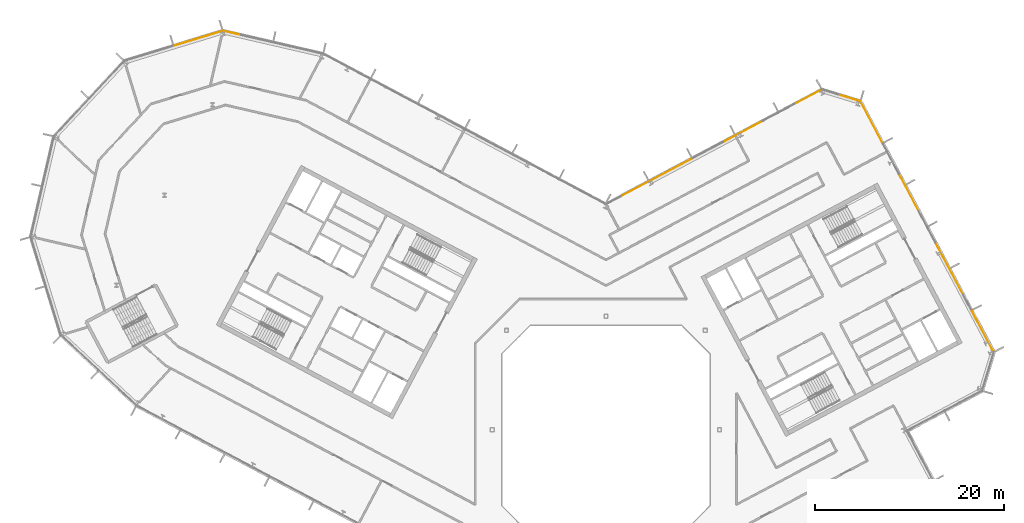
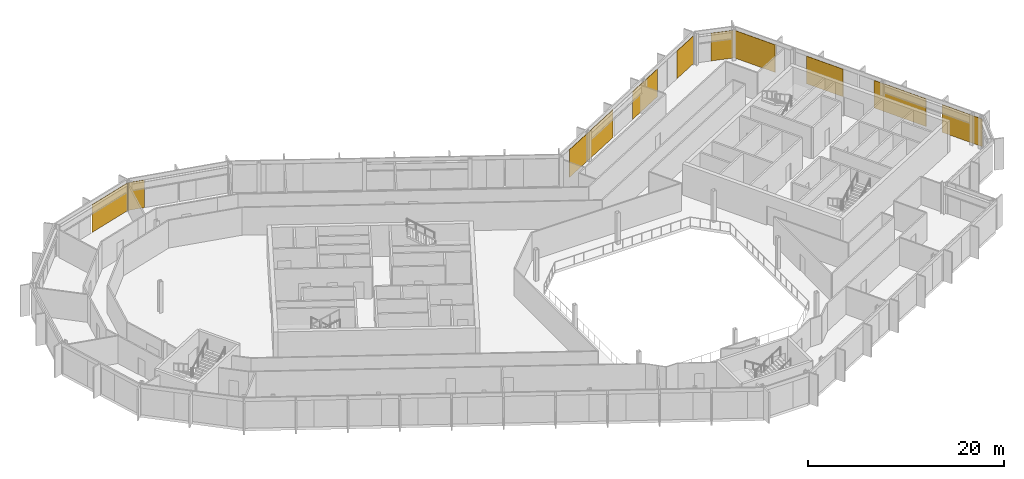
# One storey, part 26 of 26: 10 coverings, 5 elements without a shape of their own.
"""IFC4 building model written with IfcOpenShell, lengths in metres."""

from ifc_helpers import new_model, si_unit, direction, frame, origin, origin_2d, place, context, subcontext, project, spatial, rectangle, extrude, material, layer, layer_set, type_object, element, aggregate, save


model = new_model("IFC4")

# Units and contexts
model_context = context("Model", 3, precision=1e-05, world=origin(), true_north=direction((0.0, 1.0)))
body_context = subcontext(model_context, "Body", "Model", "MODEL_VIEW")
ifc_project = project(units=[si_unit("LENGTHUNIT", "METRE"), si_unit("AREAUNIT", "SQUARE_METRE"), si_unit("VOLUMEUNIT", "CUBIC_METRE"), si_unit("PLANEANGLEUNIT", "RADIAN"), si_unit("MASSUNIT", "GRAM", prefix="KILO")], contexts=[model_context])

# Site, building, storey
site_placement = place(None, origin())
site = spatial("IfcSite", under=ifc_project, at=site_placement, CompositionType="ELEMENT")
building_placement = place(site_placement, origin())
building = spatial("IfcBuilding", under=site, at=building_placement, Name="Cormorant Relay Tower", CompositionType="ELEMENT")
storey_placement = place(building_placement, frame((0.0, 0.0, 316.5)))
storey = spatial("IfcBuildingStorey", under=building, at=storey_placement, Name="L72", CompositionType="ELEMENT", Elevation=316.5)

# Curtain wall, coverings
ifc_material_1 = material(Name="Aluminium 6063-T6 anodised bronze", Category="aluminium")
ifc_layer_1 = layer(ifc_material_1, 0.199951171875)
ifc_layer_set_1 = layer_set([ifc_layer_1], Name="CW1 unitised bronze curtain wall with vertical fins")
curtain_wall_type = type_object("IfcCurtainWallType", Name="CW1 unitised bronze curtain wall with vertical fins", PredefinedType="NOTDEFINED", material=ifc_layer_set_1)
curtain_wall_1_placement = place(storey_placement, origin())
curtain_wall_1 = element("IfcCurtainWall", 1, at=curtain_wall_1_placement, inside=storey, type_object=curtain_wall_type, Name="CW1 curtain wall 6", PredefinedType="NOTDEFINED")
ifc_material_2 = material(Name="Pale bronze anodised aluminium insulated panel", Category="aluminium")
ifc_layer_2 = layer(ifc_material_2, 0.0400390625)
ifc_layer_set_2 = layer_set([ifc_layer_2], Name="CW1 pale bronze insulated panel 40")
covering_type = type_object("IfcCoveringType", Name="CW1 pale bronze insulated panel 40", PredefinedType="CLADDING", material=ifc_layer_set_2)
covering_1_placement = place(storey_placement, frame((39.79541015625, 10.400146484375, 0.0), z_axis=(0.0, 0.0, 1.0), x_axis=(-0.469471562786, 0.882947592859, 0.0)))
covering_1 = element("IfcCovering", 2, at=covering_1_placement, type_object=covering_type, Name="CW1 panel S00", PredefinedType="CLADDING", context=body_context, shape_type="SweptSolid", body=[
    extrude(rectangle(XDim=4.85009765625, YDim=0.0400390625, at=origin_2d()), origin(), (0.0, 0.0, 1.0), 3.449951171875),
])
covering_2_placement = place(storey_placement, frame((36.2744140625, 17.0224609375, 0.0), z_axis=(0.0, 0.0, 1.0), x_axis=(-0.469471562786, 0.882947592859, 0.0)))
covering_2 = element("IfcCovering", 3, at=covering_2_placement, type_object=covering_type, Name="CW1 panel S02", PredefinedType="CLADDING", context=body_context, shape_type="SweptSolid", body=[
    extrude(rectangle(XDim=6.25, YDim=0.0400390625, at=origin_2d()), origin(), (0.0, 0.0, 1.0), 3.449951171875),
])
covering_3_placement = place(storey_placement, frame((32.002197265625, 25.05712890625, 0.0), z_axis=(0.0, 0.0, 1.0), x_axis=(-0.469471562786, 0.882947592859, 0.0)))
covering_3 = element("IfcCovering", 4, at=covering_3_placement, type_object=covering_type, Name="CW1 panel S05", PredefinedType="CLADDING", context=body_context, shape_type="SweptSolid", body=[
    extrude(rectangle(XDim=4.449951171875, YDim=0.0400390625, at=origin_2d()), origin(), (0.0, 0.0, 1.0), 3.449951171875),
])
covering_4_placement = place(storey_placement, frame((28.041015625, 32.507080078125, 0.0), z_axis=(0.0, 0.0, 1.0), x_axis=(-0.469471562786, 0.882947592859, 0.0)))
covering_4 = element("IfcCovering", 5, at=covering_4_placement, type_object=covering_type, Name="CW1 panel S07", PredefinedType="CLADDING", context=body_context, shape_type="SweptSolid", body=[
    extrude(rectangle(XDim=4.925048828125, YDim=0.0400390625, at=origin_2d()), origin(), (0.0, 0.0, 1.0), 3.449951171875),
])
aggregate(curtain_wall_1, [covering_1, covering_2, covering_3, covering_4])

# Curtain wall, covering
curtain_wall_2_placement = place(storey_placement, origin())
curtain_wall_2 = element("IfcCurtainWall", 6, at=curtain_wall_2_placement, inside=storey, type_object=curtain_wall_type, Name="CW1 curtain wall 7", PredefinedType="NOTDEFINED")
covering_5_placement = place(storey_placement, frame((25.66943359375, 35.05908203125, 0.0), z_axis=(0.0, 0.0, 1.0), x_axis=(-0.956304755963, 0.292371704723, 0.0)))
covering_5 = element("IfcCovering", 7, at=covering_5_placement, type_object=covering_type, Name="CW1 panel S00", PredefinedType="CLADDING", context=body_context, shape_type="SweptSolid", body=[
    extrude(rectangle(XDim=2.36767578125, YDim=0.0400390625, at=origin_2d()), origin(), (0.0, 0.0, 1.0), 3.449951171875),
])
aggregate(curtain_wall_2, [covering_5])

# Curtain wall, coverings
curtain_wall_3_placement = place(storey_placement, origin())
curtain_wall_3 = element("IfcCurtainWall", 8, at=curtain_wall_3_placement, inside=storey, type_object=curtain_wall_type, Name="CW1 curtain wall 8", PredefinedType="NOTDEFINED")
covering_6_placement = place(storey_placement, frame((21.314453125, 35.1396484375, 0.0), z_axis=(0.0, 0.0, 1.0), x_axis=(-0.882947592859, -0.469471562786, 0.0)))
covering_6 = element("IfcCovering", 9, at=covering_6_placement, type_object=covering_type, Name="CW1 panel S00", PredefinedType="CLADDING", context=body_context, shape_type="SweptSolid", body=[
    extrude(rectangle(XDim=3.216796875, YDim=0.0400390625, at=origin_2d()), origin(), (0.0, 0.0, 1.0), 3.449951171875),
])
covering_7_placement = place(storey_placement, frame((14.471435546875, 31.501220703125, 0.0), z_axis=(0.0, 0.0, 1.0), x_axis=(-0.882947592859, -0.469471562786, 0.0)))
covering_7 = element("IfcCovering", 10, at=covering_7_placement, type_object=covering_type, Name="CW1 panel S03", PredefinedType="CLADDING", context=body_context, shape_type="SweptSolid", body=[
    extrude(rectangle(XDim=4.78369140625, YDim=0.0400390625, at=origin_2d()), origin(), (0.0, 0.0, 1.0), 3.449951171875),
])
covering_8_placement = place(storey_placement, frame((5.314208984375, 26.632080078125, 0.0), z_axis=(0.0, 0.0, 1.0), x_axis=(-0.882947592859, -0.469471562786, 0.0)))
covering_8 = element("IfcCovering", 11, at=covering_8_placement, type_object=covering_type, Name="CW1 panel S05", PredefinedType="CLADDING", context=body_context, shape_type="SweptSolid", body=[
    extrude(rectangle(XDim=8.45849609375, YDim=0.0400390625, at=origin_2d()), origin(), (0.0, 0.0, 1.0), 3.449951171875),
])
aggregate(curtain_wall_3, [covering_6, covering_7, covering_8])

# Curtain wall, covering
curtain_wall_4_placement = place(storey_placement, origin())
curtain_wall_4 = element("IfcCurtainWall", 12, at=curtain_wall_4_placement, inside=storey, type_object=curtain_wall_type, Name="CW1 curtain wall 10", PredefinedType="NOTDEFINED")
covering_9_placement = place(storey_placement, frame((-39.603515625, 41.934814453125, 0.0), z_axis=(0.0, 0.0, 1.0), x_axis=(-0.974370064785, 0.224951054344, 0.0)))
covering_9 = element("IfcCovering", 13, at=covering_9_placement, type_object=covering_type, Name="CW1 panel S03", PredefinedType="CLADDING", context=body_context, shape_type="SweptSolid", body=[
    extrude(rectangle(XDim=1.76025390625, YDim=0.0400390625, at=origin_2d()), origin(), (0.0, 0.0, 1.0), 3.449951171875),
])
aggregate(curtain_wall_4, [covering_9])

curtain_wall_5_placement = place(storey_placement, origin())
curtain_wall_5 = element("IfcCurtainWall", 14, at=curtain_wall_5_placement, inside=storey, type_object=curtain_wall_type, Name="CW1 curtain wall 11", PredefinedType="NOTDEFINED")
covering_10_placement = place(storey_placement, frame((-43.0703125, 41.337890625, 0.0), z_axis=(0.0, 0.0, 1.0), x_axis=(-0.956304755963, -0.292371704723, 0.0)))
covering_10 = element("IfcCovering", 15, at=covering_10_placement, type_object=covering_type, Name="CW1 panel S00", PredefinedType="CLADDING", context=body_context, shape_type="SweptSolid", body=[
    extrude(rectangle(XDim=5.28515625, YDim=0.0400390625, at=origin_2d()), origin(), (0.0, 0.0, 1.0), 3.449951171875),
])
aggregate(curtain_wall_5, [covering_10])

save(model, "model.ifc")
